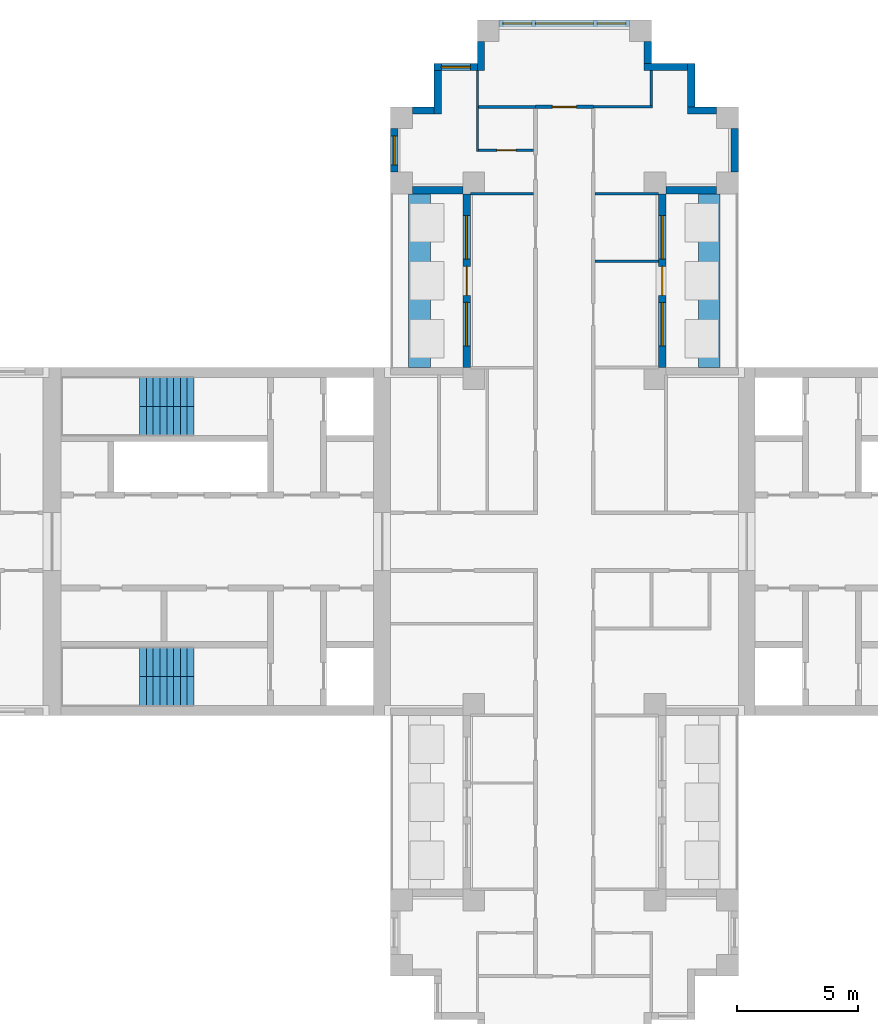
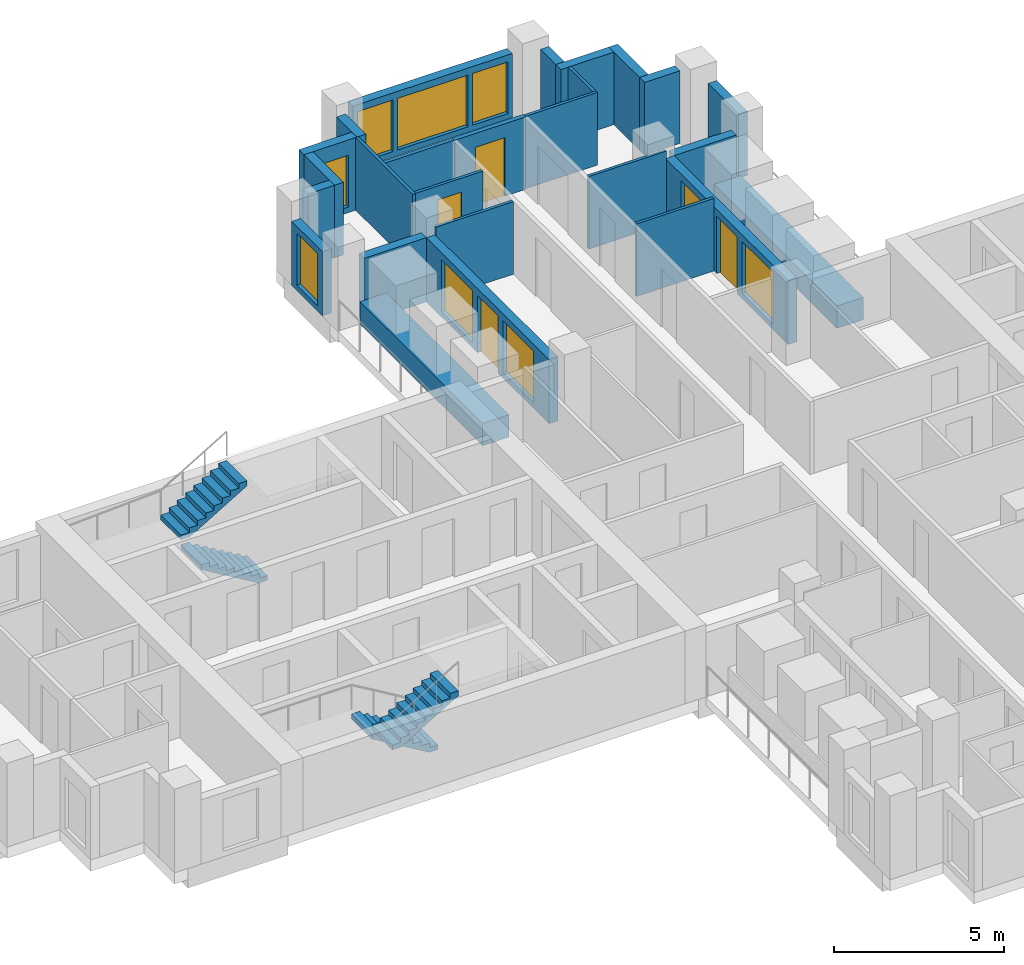
# One storey, part 7 of 10: 26 walls, 9 windows, 4 doors, 4 stair flights, 13 openings, 2 elements without a shape of their own.
"""IFC4 building model written with IfcOpenShell, lengths in metres."""

from ifc_helpers import new_model, si_unit, direction, frame, frame_2d, origin, place, context, subcontext, project, spatial, polyline, rectangle, outline, extrude, material, layer, layer_set, type_object, element, fill, aggregate, save


model = new_model("IFC4")

# Units and contexts
model_context = context("Model", 3, precision=1e-05, world=origin(), true_north=direction((0.0, 1.0)))
body_context = subcontext(model_context, "Body", "Model", "MODEL_VIEW")
ifc_project = project(units=[si_unit("LENGTHUNIT", "METRE"), si_unit("AREAUNIT", "SQUARE_METRE"), si_unit("VOLUMEUNIT", "CUBIC_METRE"), si_unit("PLANEANGLEUNIT", "RADIAN"), si_unit("MASSUNIT", "GRAM", prefix="KILO")], contexts=[model_context])

# Site, building, storey
site_placement = place(None, origin())
site = spatial("IfcSite", under=ifc_project, at=site_placement, CompositionType="ELEMENT")
building_placement = place(site_placement, origin())
building = spatial("IfcBuilding", under=site, at=building_placement, Name="Fustian Cross Tower", CompositionType="ELEMENT")
storey_placement = place(building_placement, frame((0.0, 0.0, 201.89990234375)))
storey = spatial("IfcBuildingStorey", under=building, at=storey_placement, Name="L63", CompositionType="ELEMENT", Elevation=201.89990234375)

# Wall, opening, door
ifc_material_1 = material(Name="Plasterboard on steel stud", Category="steel")
ifc_layer_1 = layer(ifc_material_1, 0.14990234375)
ifc_layer_set_1 = layer_set([ifc_layer_1], Name="Plasterboard on steel stud")
wall_type_1 = type_object("IfcWallType", Name="COMPARTMENT WALL 150 EI 60", PredefinedType="PARTITIONING", material=ifc_layer_set_1)
wall_1_placement = place(storey_placement, frame((-1.199951171875, 18.0, 0.0), z_axis=(0.0, 0.0, 1.0), x_axis=(1.0, 0.0, 0.0)))
wall_1 = element("IfcWall", 1, at=wall_1_placement, inside=storey, type_object=wall_type_1, Name="Partition 29", PredefinedType="PARTITIONING", context=body_context, shape_type="SweptSolid", body=[
    extrude(rectangle(XDim=2.39990234375, YDim=0.14990234375, at=frame_2d((1.199951171875, 0.0))), origin(), (0.0, 0.0, 1.0), 2.60009765625),
])
opening_1_placement = place(wall_1_placement, frame((0.699951171875, 0.0, 0.0)))
opening_1 = element("IfcOpeningElement", 2, at=opening_1_placement, cuts=wall_1, Name="Opening D29014", PredefinedType="OPENING", context=body_context, shape_type="SweptSolid", body=[
    extrude(rectangle(XDim=1.0, YDim=2.10009765625, at=frame_2d((0.5, 1.050048828125))), frame((0.0, 0.0849609375, 0.0), z_axis=(0.0, -1.0, 0.0), x_axis=(1.0, 0.0, 0.0)), (0.0, 0.0, 1.0), 0.169921875),
])
ifc_material_2 = material(Name="Timber fire door set", Category="wood")
door_type_1 = type_object("IfcDoorType", Name="FIRE SWING DOOR 1000 FD30S", OperationType="SINGLE_SWING_LEFT", PredefinedType="DOOR", material=ifc_material_2)
door_1_placement = place(opening_1_placement, origin())
door_1 = element("IfcDoor", 3, at=door_1_placement, inside=storey, type_object=door_type_1, Name="Door D29014", OperationType="SINGLE_SWING_LEFT", OverallHeight=2.10009765625, OverallWidth=1.0, PredefinedType="DOOR", context=body_context, shape_type="SweptSolid", body=[
    extrude(rectangle(XDim=1.0, YDim=2.10009765625, at=frame_2d((0.5, 1.050048828125))), frame((0.0, 0.02490234375, 0.0), z_axis=(0.0, -1.0, 0.0), x_axis=(1.0, 0.0, 0.0)), (0.0, 0.0, 1.0), 0.050048828125),
])
fill(opening_1, door_1)

# Walls
ifc_material_3 = material(Name="Plasterboard on steel stud", Category="steel")
ifc_layer_2 = layer(ifc_material_3, 0.10009765625)
ifc_layer_set_2 = layer_set([ifc_layer_2], Name="Plasterboard on steel stud")
wall_type_2 = type_object("IfcWallType", Name="PARTITION 100 STUD", PredefinedType="PARTITIONING", material=ifc_layer_set_2)
wall_2_placement = place(storey_placement, frame((-3.89990234375, 14.39990234375, 0.0), z_axis=(0.0, 0.0, 1.0), x_axis=(1.0, 0.0, 0.0)))
element("IfcWall", 4, at=wall_2_placement, inside=storey, type_object=wall_type_2, Name="Partition 18", PredefinedType="PARTITIONING", context=body_context, shape_type="SweptSolid", body=[
    extrude(rectangle(XDim=2.625, YDim=0.10009765625, at=frame_2d((1.3125, 0.0))), origin(), (0.0, 0.0, 1.0), 2.60009765625),
])
wall_3_placement = place(storey_placement, frame((-3.60009765625, 16.14990234375, 0.0), z_axis=(0.0, 0.0, 1.0), x_axis=(0.0, 1.0, 0.0)))
element("IfcWall", 5, at=wall_3_placement, inside=storey, type_object=wall_type_2, Name="Partition 22", PredefinedType="PARTITIONING", context=body_context, shape_type="SweptSolid", body=[
    extrude(rectangle(XDim=3.35009765625, YDim=0.10009765625, at=frame_2d((1.675048828125, 0.0))), origin(), (0.0, 0.0, 1.0), 2.60009765625),
])

# Wall, opening, door
wall_4_placement = place(storey_placement, frame((-3.550048828125, 16.199951171875, 0.0), z_axis=(0.0, 0.0, 1.0), x_axis=(1.0, 0.0, 0.0)))
wall_4 = element("IfcWall", 6, at=wall_4_placement, inside=storey, type_object=wall_type_2, Name="Partition 23", PredefinedType="PARTITIONING", context=body_context, shape_type="SweptSolid", body=[
    extrude(rectangle(XDim=2.275146484375, YDim=0.10009765625, at=frame_2d((1.1376953125, 0.0))), origin(), (0.0, 0.0, 1.0), 2.60009765625),
])
opening_2_placement = place(wall_4_placement, frame((0.75, 0.0, 0.0)))
opening_2 = element("IfcOpeningElement", 7, at=opening_2_placement, cuts=wall_4, Name="Opening D29016", PredefinedType="OPENING", context=body_context, shape_type="SweptSolid", body=[
    extrude(rectangle(XDim=0.800048828125, YDim=2.10009765625, at=frame_2d((0.39990234375, 1.050048828125))), frame((0.0, 0.06005859375, 0.0), z_axis=(0.0, -1.0, 0.0), x_axis=(1.0, 0.0, 0.0)), (0.0, 0.0, 1.0), 0.1201171875),
])
ifc_material_4 = material(Name="Painted timber", Category="wood")
door_type_2 = type_object("IfcDoorType", Name="SWING DOOR 800", OperationType="SINGLE_SWING_LEFT", PredefinedType="DOOR", material=ifc_material_4)
door_2_placement = place(opening_2_placement, origin())
door_2 = element("IfcDoor", 8, at=door_2_placement, inside=storey, type_object=door_type_2, Name="Door D29016", OperationType="SINGLE_SWING_LEFT", OverallHeight=2.10009765625, OverallWidth=0.800048828125, PredefinedType="DOOR", context=body_context, shape_type="SweptSolid", body=[
    extrude(rectangle(XDim=0.800048828125, YDim=2.10009765625, at=frame_2d((0.39990234375, 1.050048828125))), frame((0.0, 0.02490234375, 0.0), z_axis=(0.0, -1.0, 0.0), x_axis=(1.0, 0.0, 0.0)), (0.0, 0.0, 1.0), 0.050048828125),
])
fill(opening_2, door_2)

# Walls
for number, where, z_axis, x_axis, name in (
    (9, (1.27490234375, 11.60009765625, 0.0), (0.0, 0.0, 1.0), (1.0, 0.0, 0.0), "Partition 40"),
    (10, (1.27490234375, 14.39990234375, 0.0), (0.0, 0.0, 1.0), (1.0, 0.0, 0.0), "Partition 41"),
):
    element("IfcWall", number, at=place(storey_placement, frame(where, z_axis=z_axis, x_axis=x_axis)), inside=storey, type_object=wall_type_2, Name=name, PredefinedType="PARTITIONING", context=body_context, shape_type="SweptSolid", body=[
        extrude(rectangle(XDim=2.625, YDim=0.10009765625, at=frame_2d((1.3125, 0.0))), origin(), (0.0, 0.0, 1.0), 2.60009765625),
    ])
wall_5_placement = place(storey_placement, frame((1.199951171875, 18.0, 0.0), z_axis=(0.0, 0.0, 1.0), x_axis=(1.0, 0.0, 0.0)))
element("IfcWall", 11, at=wall_5_placement, inside=storey, type_object=wall_type_2, Name="Partition 42", PredefinedType="PARTITIONING", context=body_context, shape_type="SweptSolid", body=[
    extrude(rectangle(XDim=2.449951171875, YDim=0.10009765625, at=frame_2d((1.22509765625, 0.0))), origin(), (0.0, 0.0, 1.0), 2.60009765625),
])
wall_6_placement = place(storey_placement, frame((3.60009765625, 18.050048828125, 0.0), z_axis=(0.0, 0.0, 1.0), x_axis=(0.0, 1.0, 0.0)))
element("IfcWall", 12, at=wall_6_placement, inside=storey, type_object=wall_type_2, Name="Partition 45", PredefinedType="PARTITIONING", context=body_context, shape_type="SweptSolid", body=[
    extrude(rectangle(XDim=1.449951171875, YDim=0.10009765625, at=frame_2d((0.72509765625, 0.0))), origin(), (0.0, 0.0, 1.0), 2.60009765625),
])
ifc_material_5 = material(Name="Concrete C40/50", Category="concrete")
ifc_layer_3 = layer(ifc_material_5, 0.89990234375)
ifc_layer_set_3 = layer_set([ifc_layer_3], Name="Concrete C40/50")
wall_type_3 = type_object("IfcWallType", Name="PK1 PLANTER 900", PredefinedType="PARAPET", material=ifc_layer_set_3)
for number, where, z_axis, x_axis, name in (
    (13, (6.0, 7.199951171875, 0.0), (0.0, 0.0, 1.0), (0.0, 1.0, 0.0), "PLANTER"),
    (14, (-6.0, 7.199951171875, 0.0), (0.0, 0.0, 1.0), (0.0, 1.0, 0.0), "PLANTER"),
):
    element("IfcWall", number, at=place(storey_placement, frame(where, z_axis=z_axis, x_axis=x_axis)), inside=storey, type_object=wall_type_3, Name=name, PredefinedType="PARAPET", context=body_context, shape_type="SweptSolid", body=[
        extrude(rectangle(XDim=7.199951171875, YDim=0.89990234375, at=frame_2d((3.60009765625, 0.0))), origin(), (0.0, 0.0, 1.0), 0.800048828125),
    ])
ifc_material_6 = material(Name="Plasterboard on steel stud", Category="steel")
ifc_layer_4 = layer(ifc_material_6, 0.125)
ifc_layer_set_4 = layer_set([ifc_layer_4], Name="Plasterboard on steel stud")
wall_type_4 = type_object("IfcWallType", Name="WET WALL 125 STUD", PredefinedType="PARTITIONING", material=ifc_layer_set_4)
wall_7_placement = place(storey_placement, frame((-3.550048828125, 18.0, 0.0), z_axis=(0.0, 0.0, 1.0), x_axis=(1.0, 0.0, 0.0)))
element("IfcWall", 15, at=wall_7_placement, inside=storey, type_object=wall_type_4, Name="Partition 24", PredefinedType="PARTITIONING", context=body_context, shape_type="SweptSolid", body=[
    extrude(rectangle(XDim=2.35009765625, YDim=0.125, at=frame_2d((1.175048828125, 0.0))), origin(), (0.0, 0.0, 1.0), 2.60009765625),
])

# Wall, openings, door, windows
ifc_material_7 = material(Name="Dark aluminium cladding on insulated backing wall", Category="aluminium")
ifc_layer_5 = layer(ifc_material_7, 0.300048828125)
ifc_layer_set_5 = layer_set([ifc_layer_5], Name="Dark aluminium cladding on insulated backing wall")
wall_type_5 = type_object("IfcWallType", Name="XW1 EXTERNAL WALL 300", PredefinedType="SOLIDWALL", material=ifc_layer_set_5)
wall_8_placement = place(storey_placement, frame((4.050048828125, 7.199951171875, 0.0), z_axis=(0.0, 0.0, 1.0), x_axis=(0.0, 1.0, 0.0)))
wall_8 = element("IfcWall", 16, at=wall_8_placement, inside=storey, type_object=wall_type_5, Name="External wall", PredefinedType="SOLIDWALL", context=body_context, shape_type="SweptSolid", body=[
    extrude(rectangle(XDim=7.199951171875, YDim=0.300048828125, at=frame_2d((3.60009765625, 0.0))), origin(), (0.0, 0.0, 1.0), 2.300048828125),
])
opening_3_placement = place(wall_8_placement, frame((3.0, 0.0, 0.0)))
opening_3 = element("IfcOpeningElement", 17, at=opening_3_placement, cuts=wall_8, Name="Opening XD1", PredefinedType="OPENING", context=body_context, shape_type="SweptSolid", body=[
    extrude(rectangle(XDim=1.199951171875, YDim=2.050048828125, at=frame_2d((0.60009765625, 1.02490234375))), frame((0.0, 0.159912109375, 0.0), z_axis=(0.0, -1.0, 0.0), x_axis=(1.0, 0.0, 0.0)), (0.0, 0.0, 1.0), 0.320068359375),
])
opening_4_placement = place(wall_8_placement, frame((0.89990234375, 0.0, 0.199951171875)))
opening_4 = element("IfcOpeningElement", 18, at=opening_4_placement, cuts=wall_8, Name="Opening WN2", PredefinedType="OPENING", context=body_context, shape_type="SweptSolid", body=[
    extrude(rectangle(XDim=1.800048828125, YDim=1.85009765625, at=frame_2d((0.89990234375, 0.925048828125))), frame((0.0, 0.159912109375, 0.0), z_axis=(0.0, -1.0, 0.0), x_axis=(1.0, 0.0, 0.0)), (0.0, 0.0, 1.0), 0.320068359375),
])
opening_5_placement = place(wall_8_placement, frame((4.5, 0.0, 0.199951171875)))
opening_5 = element("IfcOpeningElement", 19, at=opening_5_placement, cuts=wall_8, Name="Opening WN2", PredefinedType="OPENING", context=body_context, shape_type="SweptSolid", body=[
    extrude(rectangle(XDim=1.800048828125, YDim=1.85009765625, at=frame_2d((0.89990234375, 0.925048828125))), frame((0.0, 0.159912109375, 0.0), z_axis=(0.0, -1.0, 0.0), x_axis=(1.0, 0.0, 0.0)), (0.0, 0.0, 1.0), 0.320068359375),
])
ifc_material_8 = material(Name="Dark anodised aluminium and double glazing", Category="aluminium")
door_type_3 = type_object("IfcDoorType", Name="ED1 BALCONY DOOR 1200X2050", OperationType="SINGLE_SWING_LEFT", PredefinedType="DOOR", material=ifc_material_8)
door_3_placement = place(opening_3_placement, origin())
door_3 = element("IfcDoor", 20, at=door_3_placement, inside=storey, type_object=door_type_3, Name="Balcony door", OperationType="SINGLE_SWING_LEFT", OverallHeight=2.050048828125, OverallWidth=1.199951171875, PredefinedType="DOOR", context=body_context, shape_type="SweptSolid", body=[
    extrude(rectangle(XDim=1.199951171875, YDim=2.050048828125, at=frame_2d((0.60009765625, 1.02490234375))), frame((0.0, 0.02490234375, 0.0), z_axis=(0.0, -1.0, 0.0), x_axis=(1.0, 0.0, 0.0)), (0.0, 0.0, 1.0), 0.050048828125),
])
fill(opening_3, door_3)
ifc_material_9 = material(Name="Dark anodised aluminium and double glazing", Category="aluminium")
window_type_1 = type_object("IfcWindowType", Name="WN2 WINDOW 1800X1850", PartitioningType="SINGLE_PANEL", PredefinedType="WINDOW", material=ifc_material_9)
window_1_placement = place(opening_4_placement, origin())
window_1 = element("IfcWindow", 21, at=window_1_placement, inside=storey, type_object=window_type_1, Name="Window", OverallHeight=1.85009765625, OverallWidth=1.800048828125, PartitioningType="SINGLE_PANEL", PredefinedType="WINDOW", context=body_context, shape_type="SweptSolid", body=[
    extrude(rectangle(XDim=1.800048828125, YDim=1.85009765625, at=frame_2d((0.89990234375, 0.925048828125))), frame((0.0, 0.030029296875, 0.0), z_axis=(0.0, -1.0, 0.0), x_axis=(1.0, 0.0, 0.0)), (0.0, 0.0, 1.0), 0.06005859375),
])
fill(opening_4, window_1)
window_2_placement = place(opening_5_placement, origin())
window_2 = element("IfcWindow", 22, at=window_2_placement, inside=storey, type_object=window_type_1, Name="Window", OverallHeight=1.85009765625, OverallWidth=1.800048828125, PartitioningType="SINGLE_PANEL", PredefinedType="WINDOW", context=body_context, shape_type="SweptSolid", body=[
    extrude(rectangle(XDim=1.800048828125, YDim=1.85009765625, at=frame_2d((0.89990234375, 0.925048828125))), frame((0.0, 0.030029296875, 0.0), z_axis=(0.0, -1.0, 0.0), x_axis=(1.0, 0.0, 0.0)), (0.0, 0.0, 1.0), 0.06005859375),
])
fill(opening_5, window_2)

# Walls
wall_9_placement = place(storey_placement, frame((4.199951171875, 14.550048828125, 0.0), z_axis=(0.0, 0.0, 1.0), x_axis=(1.0, 0.0, 0.0)))
element("IfcWall", 23, at=wall_9_placement, inside=storey, type_object=wall_type_5, Name="External wall", PredefinedType="SOLIDWALL", context=body_context, shape_type="SweptSolid", body=[
    extrude(rectangle(XDim=2.10009765625, YDim=0.300048828125, at=frame_2d((1.050048828125, 0.0))), origin(), (0.0, 0.0, 1.0), 2.300048828125),
])
wall_10_placement = place(storey_placement, frame((7.050048828125, 15.300048828125, 0.0), z_axis=(0.0, 0.0, 1.0), x_axis=(0.0, 1.0, 0.0)))
element("IfcWall", 24, at=wall_10_placement, inside=storey, type_object=wall_type_5, Name="External wall", PredefinedType="SOLIDWALL", context=body_context, shape_type="SweptSolid", body=[
    extrude(rectangle(XDim=1.800048828125, YDim=0.300048828125, at=frame_2d((0.89990234375, 0.0))), origin(), (0.0, 0.0, 1.0), 2.300048828125),
])
wall_11_placement = place(storey_placement, frame((6.300048828125, 17.85009765625, 0.0), z_axis=(0.0, 0.0, 1.0), x_axis=(-1.0, 0.0, 0.0)))
element("IfcWall", 25, at=wall_11_placement, inside=storey, type_object=wall_type_5, Name="External wall", PredefinedType="SOLIDWALL", context=body_context, shape_type="SweptSolid", body=[
    extrude(rectangle(XDim=1.199951171875, YDim=0.300048828125, at=frame_2d((0.60009765625, 0.0))), origin(), (0.0, 0.0, 1.0), 2.60009765625),
])
for number, where, z_axis, x_axis, name in (
    (26, (5.25, 18.0, 0.0), (0.0, 0.0, 1.0), (0.0, 1.0, 0.0), "External wall"),
    (27, (5.10009765625, 19.64990234375, 0.0), (0.0, 0.0, 1.0), (-1.0, 0.0, 0.0), "External wall"),
):
    element("IfcWall", number, at=place(storey_placement, frame(where, z_axis=z_axis, x_axis=x_axis)), inside=storey, type_object=wall_type_5, Name=name, PredefinedType="SOLIDWALL", context=body_context, shape_type="SweptSolid", body=[
        extrude(rectangle(XDim=1.800048828125, YDim=0.300048828125, at=frame_2d((0.89990234375, 0.0))), origin(), (0.0, 0.0, 1.0), 2.60009765625),
    ])
wall_12_placement = place(storey_placement, frame((3.449951171875, 19.800048828125, 0.0), z_axis=(0.0, 0.0, 1.0), x_axis=(0.0, 1.0, 0.0)))
element("IfcWall", 28, at=wall_12_placement, inside=storey, type_object=wall_type_5, Name="External wall", PredefinedType="SOLIDWALL", context=body_context, shape_type="SweptSolid", body=[
    extrude(rectangle(XDim=0.89990234375, YDim=0.300048828125, at=frame_2d((0.449951171875, 0.0))), origin(), (0.0, 0.0, 1.0), 2.60009765625),
])

# Wall, openings, windows
wall_13_placement = place(storey_placement, frame((2.699951171875, 21.449951171875, 0.0), z_axis=(0.0, 0.0, 1.0), x_axis=(-1.0, 0.0, 0.0)))
wall_13 = element("IfcWall", 29, at=wall_13_placement, inside=storey, type_object=wall_type_5, Name="External wall", PredefinedType="SOLIDWALL", context=body_context, shape_type="SweptSolid", body=[
    extrude(rectangle(XDim=5.39990234375, YDim=0.300048828125, at=frame_2d((2.699951171875, 0.0))), origin(), (0.0, 0.0, 1.0), 2.300048828125),
])
opening_6_placement = place(wall_13_placement, frame((1.5, 0.0, 0.199951171875)))
opening_6 = element("IfcOpeningElement", 30, at=opening_6_placement, cuts=wall_13, Name="Opening WN1", PredefinedType="OPENING", context=body_context, shape_type="SweptSolid", body=[
    extrude(rectangle(XDim=2.39990234375, YDim=1.85009765625, at=frame_2d((1.199951171875, 0.925048828125))), frame((0.0, 0.159912109375, 0.0), z_axis=(0.0, -1.0, 0.0), x_axis=(1.0, 0.0, 0.0)), (0.0, 0.0, 1.0), 0.320068359375),
])
opening_7_placement = place(wall_13_placement, frame((0.14990234375, 0.0, 0.199951171875)))
opening_7 = element("IfcOpeningElement", 31, at=opening_7_placement, cuts=wall_13, Name="Opening WN3", PredefinedType="OPENING", context=body_context, shape_type="SweptSolid", body=[
    extrude(rectangle(XDim=1.199951171875, YDim=1.85009765625, at=frame_2d((0.60009765625, 0.925048828125))), frame((0.0, 0.159912109375, 0.0), z_axis=(0.0, -1.0, 0.0), x_axis=(1.0, 0.0, 0.0)), (0.0, 0.0, 1.0), 0.320068359375),
])
opening_8_placement = place(wall_13_placement, frame((4.050048828125, 0.0, 0.199951171875)))
opening_8 = element("IfcOpeningElement", 32, at=opening_8_placement, cuts=wall_13, Name="Opening WN3", PredefinedType="OPENING", context=body_context, shape_type="SweptSolid", body=[
    extrude(rectangle(XDim=1.199951171875, YDim=1.85009765625, at=frame_2d((0.60009765625, 0.925048828125))), frame((0.0, 0.159912109375, 0.0), z_axis=(0.0, -1.0, 0.0), x_axis=(1.0, 0.0, 0.0)), (0.0, 0.0, 1.0), 0.320068359375),
])
ifc_material_10 = material(Name="Dark anodised aluminium and double glazing", Category="aluminium")
window_type_2 = type_object("IfcWindowType", Name="WN1 WINDOW 2400X1850", PartitioningType="SINGLE_PANEL", PredefinedType="WINDOW", material=ifc_material_10)
window_3_placement = place(opening_6_placement, origin())
window_3 = element("IfcWindow", 33, at=window_3_placement, inside=storey, type_object=window_type_2, Name="Window", OverallHeight=1.85009765625, OverallWidth=2.39990234375, PartitioningType="SINGLE_PANEL", PredefinedType="WINDOW", context=body_context, shape_type="SweptSolid", body=[
    extrude(rectangle(XDim=2.39990234375, YDim=1.85009765625, at=frame_2d((1.199951171875, 0.925048828125))), frame((0.0, 0.030029296875, 0.0), z_axis=(0.0, -1.0, 0.0), x_axis=(1.0, 0.0, 0.0)), (0.0, 0.0, 1.0), 0.06005859375),
])
fill(opening_6, window_3)
ifc_material_11 = material(Name="Dark anodised aluminium and double glazing", Category="aluminium")
window_type_3 = type_object("IfcWindowType", Name="WN3 WINDOW 1200X1850", PartitioningType="SINGLE_PANEL", PredefinedType="WINDOW", material=ifc_material_11)
window_4_placement = place(opening_7_placement, origin())
window_4 = element("IfcWindow", 34, at=window_4_placement, inside=storey, type_object=window_type_3, Name="Window", OverallHeight=1.85009765625, OverallWidth=1.199951171875, PartitioningType="SINGLE_PANEL", PredefinedType="WINDOW", context=body_context, shape_type="SweptSolid", body=[
    extrude(rectangle(XDim=1.199951171875, YDim=1.85009765625, at=frame_2d((0.60009765625, 0.925048828125))), frame((0.0, 0.030029296875, 0.0), z_axis=(0.0, -1.0, 0.0), x_axis=(1.0, 0.0, 0.0)), (0.0, 0.0, 1.0), 0.06005859375),
])
fill(opening_7, window_4)
window_5_placement = place(opening_8_placement, origin())
window_5 = element("IfcWindow", 35, at=window_5_placement, inside=storey, type_object=window_type_3, Name="Window", OverallHeight=1.85009765625, OverallWidth=1.199951171875, PartitioningType="SINGLE_PANEL", PredefinedType="WINDOW", context=body_context, shape_type="SweptSolid", body=[
    extrude(rectangle(XDim=1.199951171875, YDim=1.85009765625, at=frame_2d((0.60009765625, 0.925048828125))), frame((0.0, 0.030029296875, 0.0), z_axis=(0.0, -1.0, 0.0), x_axis=(1.0, 0.0, 0.0)), (0.0, 0.0, 1.0), 0.06005859375),
])
fill(opening_8, window_5)

# Wall
wall_14_placement = place(storey_placement, frame((-3.449951171875, 20.699951171875, 0.0), z_axis=(0.0, 0.0, 1.0), x_axis=(0.0, -1.0, 0.0)))
element("IfcWall", 36, at=wall_14_placement, inside=storey, type_object=wall_type_5, Name="External wall", PredefinedType="SOLIDWALL", context=body_context, shape_type="SweptSolid", body=[
    extrude(rectangle(XDim=1.199951171875, YDim=0.300048828125, at=frame_2d((0.60009765625, 0.0))), origin(), (0.0, 0.0, 1.0), 2.60009765625),
])

# Wall, opening, window
wall_15_placement = place(storey_placement, frame((-3.60009765625, 19.64990234375, 0.0), z_axis=(0.0, 0.0, 1.0), x_axis=(-1.0, 0.0, 0.0)))
wall_15 = element("IfcWall", 37, at=wall_15_placement, inside=storey, type_object=wall_type_5, Name="External wall", PredefinedType="SOLIDWALL", context=body_context, shape_type="SweptSolid", body=[
    extrude(rectangle(XDim=1.7998046875, YDim=0.300048828125, at=frame_2d((0.89990234375, 0.0))), origin(), (0.0, 0.0, 1.0), 2.60009765625),
])
opening_9_placement = place(wall_15_placement, frame((0.300048828125, 0.0, 0.199951171875)))
opening_9 = element("IfcOpeningElement", 38, at=opening_9_placement, cuts=wall_15, Name="Opening WN3", PredefinedType="OPENING", context=body_context, shape_type="SweptSolid", body=[
    extrude(rectangle(XDim=1.199951171875, YDim=1.85009765625, at=frame_2d((0.60009765625, 0.925048828125))), frame((0.0, 0.159912109375, 0.0), z_axis=(0.0, -1.0, 0.0), x_axis=(1.0, 0.0, 0.0)), (0.0, 0.0, 1.0), 0.320068359375),
])
window_6_placement = place(opening_9_placement, origin())
window_6 = element("IfcWindow", 39, at=window_6_placement, inside=storey, type_object=window_type_3, Name="Window", OverallHeight=1.85009765625, OverallWidth=1.199951171875, PartitioningType="SINGLE_PANEL", PredefinedType="WINDOW", context=body_context, shape_type="SweptSolid", body=[
    extrude(rectangle(XDim=1.199951171875, YDim=1.85009765625, at=frame_2d((0.60009765625, 0.925048828125))), frame((0.0, 0.030029296875, 0.0), z_axis=(0.0, -1.0, 0.0), x_axis=(1.0, 0.0, 0.0)), (0.0, 0.0, 1.0), 0.06005859375),
])
fill(opening_9, window_6)

# Walls
wall_16_placement = place(storey_placement, frame((-5.25, 19.5, 0.0), z_axis=(0.0, 0.0, 1.0), x_axis=(0.0, -1.0, 0.0)))
element("IfcWall", 40, at=wall_16_placement, inside=storey, type_object=wall_type_5, Name="External wall", PredefinedType="SOLIDWALL", context=body_context, shape_type="SweptSolid", body=[
    extrude(rectangle(XDim=1.800048828125, YDim=0.300048828125, at=frame_2d((0.89990234375, 0.0))), origin(), (0.0, 0.0, 1.0), 2.60009765625),
])
wall_17_placement = place(storey_placement, frame((-5.39990234375, 17.85009765625, 0.0), z_axis=(0.0, 0.0, 1.0), x_axis=(-1.0, 0.0, 0.0)))
element("IfcWall", 41, at=wall_17_placement, inside=storey, type_object=wall_type_5, Name="External wall", PredefinedType="SOLIDWALL", context=body_context, shape_type="SweptSolid", body=[
    extrude(rectangle(XDim=0.900146484375, YDim=0.300048828125, at=frame_2d((0.4501953125, 0.0))), origin(), (0.0, 0.0, 1.0), 2.60009765625),
])

# Wall, opening, window
wall_18_placement = place(storey_placement, frame((-7.050048828125, 17.10009765625, 0.0), z_axis=(0.0, 0.0, 1.0), x_axis=(0.0, -1.0, 0.0)))
wall_18 = element("IfcWall", 42, at=wall_18_placement, inside=storey, type_object=wall_type_5, Name="External wall", PredefinedType="SOLIDWALL", context=body_context, shape_type="SweptSolid", body=[
    extrude(rectangle(XDim=1.800048828125, YDim=0.300048828125, at=frame_2d((0.89990234375, 0.0))), origin(), (0.0, 0.0, 1.0), 2.300048828125),
])
opening_10_placement = place(wall_18_placement, frame((0.300048828125, 0.0, 0.199951171875)))
opening_10 = element("IfcOpeningElement", 43, at=opening_10_placement, cuts=wall_18, Name="Opening WN3", PredefinedType="OPENING", context=body_context, shape_type="SweptSolid", body=[
    extrude(rectangle(XDim=1.199951171875, YDim=1.85009765625, at=frame_2d((0.60009765625, 0.925048828125))), frame((0.0, 0.159912109375, 0.0), z_axis=(0.0, -1.0, 0.0), x_axis=(1.0, 0.0, 0.0)), (0.0, 0.0, 1.0), 0.320068359375),
])
window_7_placement = place(opening_10_placement, origin())
window_7 = element("IfcWindow", 44, at=window_7_placement, inside=storey, type_object=window_type_3, Name="Window", OverallHeight=1.85009765625, OverallWidth=1.199951171875, PartitioningType="SINGLE_PANEL", PredefinedType="WINDOW", context=body_context, shape_type="SweptSolid", body=[
    extrude(rectangle(XDim=1.199951171875, YDim=1.85009765625, at=frame_2d((0.60009765625, 0.925048828125))), frame((0.0, 0.030029296875, 0.0), z_axis=(0.0, -1.0, 0.0), x_axis=(1.0, 0.0, 0.0)), (0.0, 0.0, 1.0), 0.06005859375),
])
fill(opening_10, window_7)

# Wall
wall_19_placement = place(storey_placement, frame((-6.300048828125, 14.550048828125, 0.0), z_axis=(0.0, 0.0, 1.0), x_axis=(1.0, 0.0, 0.0)))
element("IfcWall", 45, at=wall_19_placement, inside=storey, type_object=wall_type_5, Name="External wall", PredefinedType="SOLIDWALL", context=body_context, shape_type="SweptSolid", body=[
    extrude(rectangle(XDim=2.10009765625, YDim=0.300048828125, at=frame_2d((1.050048828125, 0.0))), origin(), (0.0, 0.0, 1.0), 2.300048828125),
])

# Wall, openings, door, windows
wall_20_placement = place(storey_placement, frame((-4.050048828125, 14.39990234375, 0.0), z_axis=(0.0, 0.0, 1.0), x_axis=(0.0, -1.0, 0.0)))
wall_20 = element("IfcWall", 46, at=wall_20_placement, inside=storey, type_object=wall_type_5, Name="External wall", PredefinedType="SOLIDWALL", context=body_context, shape_type="SweptSolid", body=[
    extrude(rectangle(XDim=7.199951171875, YDim=0.300048828125, at=frame_2d((3.60009765625, 0.0))), origin(), (0.0, 0.0, 1.0), 2.300048828125),
])
opening_11_placement = place(wall_20_placement, frame((3.0, 0.0, 0.0)))
opening_11 = element("IfcOpeningElement", 47, at=opening_11_placement, cuts=wall_20, Name="Opening XD2", PredefinedType="OPENING", context=body_context, shape_type="SweptSolid", body=[
    extrude(rectangle(XDim=1.199951171875, YDim=2.050048828125, at=frame_2d((0.60009765625, 1.02490234375))), frame((0.0, 0.159912109375, 0.0), z_axis=(0.0, -1.0, 0.0), x_axis=(1.0, 0.0, 0.0)), (0.0, 0.0, 1.0), 0.320068359375),
])
opening_12_placement = place(wall_20_placement, frame((0.89990234375, 0.0, 0.199951171875)))
opening_12 = element("IfcOpeningElement", 48, at=opening_12_placement, cuts=wall_20, Name="Opening WN2", PredefinedType="OPENING", context=body_context, shape_type="SweptSolid", body=[
    extrude(rectangle(XDim=1.800048828125, YDim=1.85009765625, at=frame_2d((0.89990234375, 0.925048828125))), frame((0.0, 0.159912109375, 0.0), z_axis=(0.0, -1.0, 0.0), x_axis=(1.0, 0.0, 0.0)), (0.0, 0.0, 1.0), 0.320068359375),
])
opening_13_placement = place(wall_20_placement, frame((4.5, 0.0, 0.199951171875)))
opening_13 = element("IfcOpeningElement", 49, at=opening_13_placement, cuts=wall_20, Name="Opening WN2", PredefinedType="OPENING", context=body_context, shape_type="SweptSolid", body=[
    extrude(rectangle(XDim=1.800048828125, YDim=1.85009765625, at=frame_2d((0.89990234375, 0.925048828125))), frame((0.0, 0.159912109375, 0.0), z_axis=(0.0, -1.0, 0.0), x_axis=(1.0, 0.0, 0.0)), (0.0, 0.0, 1.0), 0.320068359375),
])
door_4_placement = place(opening_11_placement, origin())
door_4 = element("IfcDoor", 50, at=door_4_placement, inside=storey, type_object=door_type_3, Name="Balcony door", OperationType="SINGLE_SWING_LEFT", OverallHeight=2.050048828125, OverallWidth=1.199951171875, PredefinedType="DOOR", context=body_context, shape_type="SweptSolid", body=[
    extrude(rectangle(XDim=1.199951171875, YDim=2.050048828125, at=frame_2d((0.60009765625, 1.02490234375))), frame((0.0, 0.02490234375, 0.0), z_axis=(0.0, -1.0, 0.0), x_axis=(1.0, 0.0, 0.0)), (0.0, 0.0, 1.0), 0.050048828125),
])
fill(opening_11, door_4)
window_8_placement = place(opening_12_placement, origin())
window_8 = element("IfcWindow", 51, at=window_8_placement, inside=storey, type_object=window_type_1, Name="Window", OverallHeight=1.85009765625, OverallWidth=1.800048828125, PartitioningType="SINGLE_PANEL", PredefinedType="WINDOW", context=body_context, shape_type="SweptSolid", body=[
    extrude(rectangle(XDim=1.800048828125, YDim=1.85009765625, at=frame_2d((0.89990234375, 0.925048828125))), frame((0.0, 0.030029296875, 0.0), z_axis=(0.0, -1.0, 0.0), x_axis=(1.0, 0.0, 0.0)), (0.0, 0.0, 1.0), 0.06005859375),
])
fill(opening_12, window_8)
window_9_placement = place(opening_13_placement, origin())
window_9 = element("IfcWindow", 52, at=window_9_placement, inside=storey, type_object=window_type_1, Name="Window", OverallHeight=1.85009765625, OverallWidth=1.800048828125, PartitioningType="SINGLE_PANEL", PredefinedType="WINDOW", context=body_context, shape_type="SweptSolid", body=[
    extrude(rectangle(XDim=1.800048828125, YDim=1.85009765625, at=frame_2d((0.89990234375, 0.925048828125))), frame((0.0, 0.030029296875, 0.0), z_axis=(0.0, -1.0, 0.0), x_axis=(1.0, 0.0, 0.0)), (0.0, 0.0, 1.0), 0.06005859375),
])
fill(opening_13, window_9)

# Stair, stair flights
ifc_material_12 = material(Name="Concrete C50/60", Category="concrete")
stair_type = type_object("IfcStairType", Name="STAIR 1200 HALF TURN", PredefinedType="HALF_TURN_STAIR", material=ifc_material_12)
stair_1_placement = place(storey_placement, origin())
stair_1 = element("IfcStair", 53, at=stair_1_placement, inside=storey, type_object=stair_type, Name="Stair ST3", PredefinedType="HALF_TURN_STAIR")
ifc_material_13 = material(Name="Concrete C50/60", Category="concrete")
stair_flight_type = type_object("IfcStairFlightType", Name="STAIR FLIGHT 1200", PredefinedType="STRAIGHT", material=ifc_material_13)
stair_flight_1_placement = place(storey_placement, frame((-15.35009765625, 5.0, 0.0), z_axis=(0.0, 0.0, 1.0), x_axis=(-1.0, 0.0, 0.0)))
stair_flight_1 = element("IfcStairFlight", 54, at=stair_flight_1_placement, type_object=stair_flight_type, Name="ST3 flight 1", NumberOfRisers=9, NumberOfTreads=8, PredefinedType="STRAIGHT", RiserHeight=0.166666667, TreadLength=0.28, context=body_context, shape_type="SweptSolid", body=[
    extrude(outline(polyline([(0.0, 0.0), (0.0, 0.166748046875), (0.280029296875, 0.166748046875), (0.280029296875, 0.333251953125), (0.56005859375, 0.333251953125), (0.56005859375, 0.5), (0.840087890625, 0.5), (0.840087890625, 0.666748046875), (1.1201171875, 0.666748046875), (1.1201171875, 0.833251953125), (1.39990234375, 0.833251953125), (1.39990234375, 1.0), (1.679931640625, 1.0), (1.679931640625, 1.166748046875), (1.9599609375, 1.166748046875), (1.9599609375, 1.333251953125), (2.239990234375, 1.333251953125), (2.239990234375, 1.5), (2.239990234375, 1.158935546875), (0.29296875, 0.0), (0.0, 0.0)])), frame((0.0, 0.60009765625, 0.0), z_axis=(0.0, -1.0, 0.0), x_axis=(1.0, 0.0, 0.0)), (0.0, 0.0, 1.0), 1.199951171875),
])
stair_flight_2_placement = place(storey_placement, frame((-17.590087890625, 6.199951171875, 1.5), z_axis=(0.0, 0.0, 1.0), x_axis=(1.0, 0.0, 0.0)))
stair_flight_2 = element("IfcStairFlight", 55, at=stair_flight_2_placement, type_object=stair_flight_type, Name="ST3 flight 2", NumberOfRisers=9, NumberOfTreads=8, PredefinedType="STRAIGHT", RiserHeight=0.166666667, TreadLength=0.28, context=body_context, shape_type="SweptSolid", body=[
    extrude(outline(polyline([(0.0, 0.0), (0.0, 0.166748046875), (0.280029296875, 0.166748046875), (0.280029296875, 0.333251953125), (0.56005859375, 0.333251953125), (0.56005859375, 0.5), (0.840087890625, 0.5), (0.840087890625, 0.666748046875), (1.1201171875, 0.666748046875), (1.1201171875, 0.833251953125), (1.39990234375, 0.833251953125), (1.39990234375, 1.0), (1.679931640625, 1.0), (1.679931640625, 1.166748046875), (1.9599609375, 1.166748046875), (1.9599609375, 1.333251953125), (2.239990234375, 1.333251953125), (2.239990234375, 1.5), (2.239990234375, 1.158935546875), (0.29296875, 0.0), (0.0, 0.0)])), frame((0.0, 0.60009765625, 0.0), z_axis=(0.0, -1.0, 0.0), x_axis=(1.0, 0.0, 0.0)), (0.0, 0.0, 1.0), 1.199951171875),
])
aggregate(stair_1, [stair_flight_1, stair_flight_2])

stair_2_placement = place(storey_placement, origin())
stair_2 = element("IfcStair", 56, at=stair_2_placement, inside=storey, type_object=stair_type, Name="Stair ST4", PredefinedType="HALF_TURN_STAIR")
stair_flight_3_placement = place(storey_placement, frame((-15.35009765625, -5.0, 0.0), z_axis=(0.0, 0.0, 1.0), x_axis=(-1.0, 0.0, 0.0)))
stair_flight_3 = element("IfcStairFlight", 57, at=stair_flight_3_placement, type_object=stair_flight_type, Name="ST4 flight 1", NumberOfRisers=9, NumberOfTreads=8, PredefinedType="STRAIGHT", RiserHeight=0.166666667, TreadLength=0.28, context=body_context, shape_type="SweptSolid", body=[
    extrude(outline(polyline([(0.0, 0.0), (0.0, 0.166748046875), (0.280029296875, 0.166748046875), (0.280029296875, 0.333251953125), (0.56005859375, 0.333251953125), (0.56005859375, 0.5), (0.840087890625, 0.5), (0.840087890625, 0.666748046875), (1.1201171875, 0.666748046875), (1.1201171875, 0.833251953125), (1.39990234375, 0.833251953125), (1.39990234375, 1.0), (1.679931640625, 1.0), (1.679931640625, 1.166748046875), (1.9599609375, 1.166748046875), (1.9599609375, 1.333251953125), (2.239990234375, 1.333251953125), (2.239990234375, 1.5), (2.239990234375, 1.158935546875), (0.29296875, 0.0), (0.0, 0.0)])), frame((0.0, 0.60009765625, 0.0), z_axis=(0.0, -1.0, 0.0), x_axis=(1.0, 0.0, 0.0)), (0.0, 0.0, 1.0), 1.199951171875),
])
stair_flight_4_placement = place(storey_placement, frame((-17.590087890625, -6.199951171875, 1.5), z_axis=(0.0, 0.0, 1.0), x_axis=(1.0, 0.0, 0.0)))
stair_flight_4 = element("IfcStairFlight", 58, at=stair_flight_4_placement, type_object=stair_flight_type, Name="ST4 flight 2", NumberOfRisers=9, NumberOfTreads=8, PredefinedType="STRAIGHT", RiserHeight=0.166666667, TreadLength=0.28, context=body_context, shape_type="SweptSolid", body=[
    extrude(outline(polyline([(0.0, 0.0), (0.0, 0.166748046875), (0.280029296875, 0.166748046875), (0.280029296875, 0.333251953125), (0.56005859375, 0.333251953125), (0.56005859375, 0.5), (0.840087890625, 0.5), (0.840087890625, 0.666748046875), (1.1201171875, 0.666748046875), (1.1201171875, 0.833251953125), (1.39990234375, 0.833251953125), (1.39990234375, 1.0), (1.679931640625, 1.0), (1.679931640625, 1.166748046875), (1.9599609375, 1.166748046875), (1.9599609375, 1.333251953125), (2.239990234375, 1.333251953125), (2.239990234375, 1.5), (2.239990234375, 1.158935546875), (0.29296875, 0.0), (0.0, 0.0)])), frame((0.0, 0.60009765625, 0.0), z_axis=(0.0, -1.0, 0.0), x_axis=(1.0, 0.0, 0.0)), (0.0, 0.0, 1.0), 1.199951171875),
])
aggregate(stair_2, [stair_flight_3, stair_flight_4])

save(model, "model.ifc")
